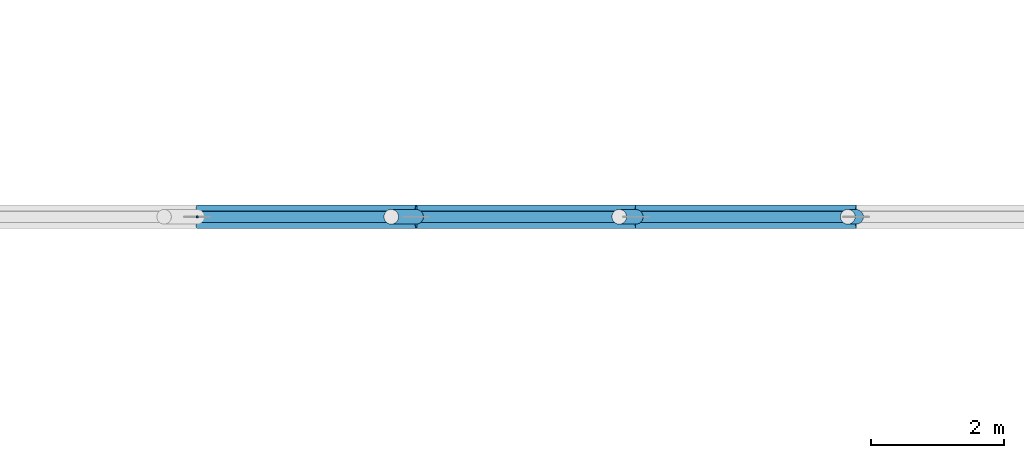
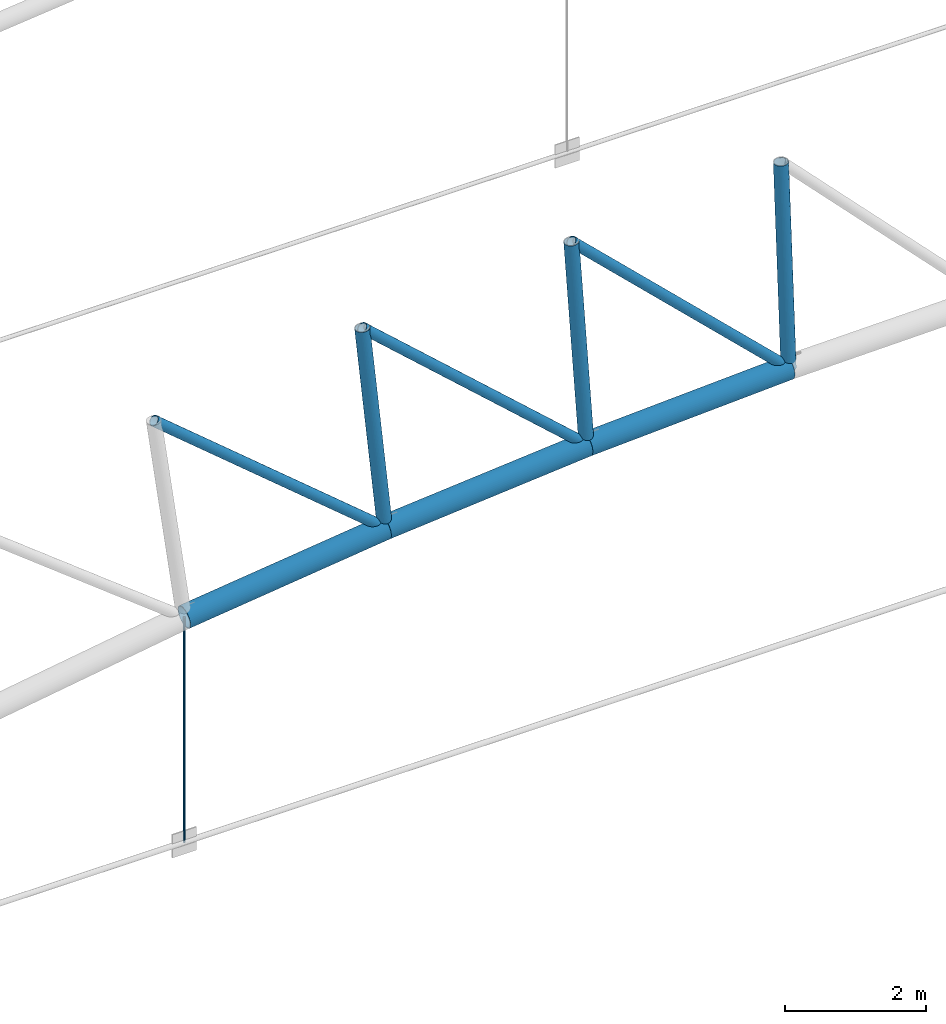
# One storey, part 31 of 321: 10 members.
"""IFC4 building model written with IfcOpenShell, lengths in metres."""

from ifc_helpers import new_model, si_unit, direction, frame, origin, origin_2d, place, context, subcontext, project, spatial, circle, hollow_circle, extrude, material, material_profile, profile_set, type_object, element, save


model = new_model("IFC4")

# Units and contexts
model_context = context("Model", 3, precision=1e-05, world=origin(), true_north=direction((0.0, 1.0)))
body_context = subcontext(model_context, "Body", "Model", "MODEL_VIEW")
ifc_project = project(units=[si_unit("LENGTHUNIT", "METRE"), si_unit("AREAUNIT", "SQUARE_METRE"), si_unit("VOLUMEUNIT", "CUBIC_METRE"), si_unit("PLANEANGLEUNIT", "RADIAN"), si_unit("MASSUNIT", "GRAM", prefix="KILO")], contexts=[model_context])

# Site, building, storey
site_placement = place(None, origin())
site = spatial("IfcSite", under=ifc_project, at=site_placement, CompositionType="ELEMENT")
building_placement = place(site_placement, origin())
building = spatial("IfcBuilding", under=site, at=building_placement, Name="Ravi Spectrum Wholesale Market", CompositionType="ELEMENT")
storey_placement = place(building_placement, frame((0.0, 0.0, 10.800048828125)))
storey = spatial("IfcBuildingStorey", under=building, at=storey_placement, Name="L02", CompositionType="ELEMENT", Elevation=10.800048828125)

# Members
ifc_material_1 = material(Name="Steel S355", Category="steel")
ifc_material_profile_1 = material_profile(ifc_material_1, hollow_circle(Radius=0.084228515625, WallThickness=0.00634765625, at=origin_2d()))
ifc_profile_set_1 = profile_set([ifc_material_profile_1], Name="Steel S355")
member_type_1 = type_object("IfcMemberType", Name="CHS 168.3x6.3 brace", PredefinedType="BRACE", material=ifc_profile_set_1)
for number, where, z_axis, x_axis, name in (
    (1, (56.321533203125, 54.0, 7.45458984375), (0.766252893925, 0.0, -0.642539105854), (0.0, 1.0, 0.0), "H1-MB-L02-241"),
    (2, (59.726806640625, 54.0, 7.867919921875), (0.743626505142, 0.0, -0.668595259369), (0.0, 1.0, 0.0), "H1-MB-L02-242"),
):
    element("IfcMember", number, at=place(storey_placement, frame(where, z_axis=z_axis, x_axis=x_axis)), inside=storey, type_object=member_type_1, Name=name, PredefinedType="BRACE", context=body_context, shape_type="SweptSolid", body=[
        extrude(hollow_circle(Radius=0.084228515625, WallThickness=0.00634765625, at=origin_2d()), origin(), (0.0, 0.0, 1.0), 4.9296875),
    ])
member_1_placement = place(storey_placement, frame((63.14453125, 54.0, 8.163330078125), z_axis=(0.7201093859, 0.0, -0.69386055684), x_axis=(0.0, 1.0, 0.0)))
element("IfcMember", 3, at=member_1_placement, inside=storey, type_object=member_type_1, Name="H1-MB-L02-243", PredefinedType="BRACE", context=body_context, shape_type="SweptSolid", body=[
    extrude(hollow_circle(Radius=0.084228515625, WallThickness=0.00634765625, at=origin_2d()), origin(), (0.0, 0.0, 1.0), 4.929443359375),
])
ifc_material_2 = material(Name="Steel S355", Category="steel")
ifc_material_profile_2 = material_profile(ifc_material_2, hollow_circle(Radius=0.109619140625, WallThickness=0.008056640625, at=origin_2d()))
ifc_profile_set_2 = profile_set([ifc_material_profile_2], Name="Steel S355")
member_type_2 = type_object("IfcMemberType", Name="CHS 219.1x8 post", PredefinedType="POST", material=ifc_profile_set_2)
member_2_placement = place(storey_placement, frame((59.726806640625, 54.0, 7.867919921875), z_axis=(0.103350310801, 0.0, -0.994645018716), x_axis=(0.0, 1.0, 0.0)))
element("IfcMember", 4, at=member_2_placement, inside=storey, type_object=member_type_2, Name="H1-MB-L02-219", PredefinedType="POST", context=body_context, shape_type="SweptSolid", body=[
    extrude(hollow_circle(Radius=0.109619140625, WallThickness=0.008056640625, at=origin_2d()), origin(), (0.0, 0.0, 1.0), 3.60009765625),
])
member_3_placement = place(storey_placement, frame((63.14453125, 54.0, 8.163330078125), z_axis=(0.068904502548, 0.0, -0.997623260319), x_axis=(0.0, 1.0, 0.0)))
element("IfcMember", 5, at=member_3_placement, inside=storey, type_object=member_type_2, Name="H1-MB-L02-220", PredefinedType="POST", context=body_context, shape_type="SweptSolid", body=[
    extrude(hollow_circle(Radius=0.109619140625, WallThickness=0.008056640625, at=origin_2d()), origin(), (0.0, 0.0, 1.0), 3.599853515625),
])
member_4_placement = place(storey_placement, frame((66.5703125, 54.0, 8.3408203125), z_axis=(0.034450597287, 0.0, -0.999406401994), x_axis=(0.0, 1.0, 0.0)))
element("IfcMember", 6, at=member_4_placement, inside=storey, type_object=member_type_2, Name="H1-MB-L02-221", PredefinedType="POST", context=body_context, shape_type="SweptSolid", body=[
    extrude(hollow_circle(Radius=0.109619140625, WallThickness=0.008056640625, at=origin_2d()), origin(), (0.0, 0.0, 1.0), 3.60009765625),
])
ifc_material_3 = material(Name="Steel S355", Category="steel")
ifc_material_profile_3 = material_profile(ifc_material_3, hollow_circle(Radius=0.177734375, WallThickness=0.012451171875, at=origin_2d()))
ifc_profile_set_3 = profile_set([ifc_material_profile_3], Name="Steel S355")
member_type_3 = type_object("IfcMemberType", Name="CHS 355.6x12.5 chord", PredefinedType="CHORD", material=ifc_profile_set_3)
member_5_placement = place(storey_placement, frame((56.81689453125, 54.0, 3.888916015625), z_axis=(0.99272014244, 0.0, 0.120443840833), x_axis=(0.0, 1.0, 0.0)))
element("IfcMember", 7, at=member_5_placement, inside=storey, type_object=member_type_3, Name="H1-MB-L02-195", PredefinedType="CHORD", context=body_context, shape_type="SweptSolid", body=[
    extrude(hollow_circle(Radius=0.177734375, WallThickness=0.012451171875, at=origin_2d()), origin(), (0.0, 0.0, 1.0), 3.30615234375),
])
member_6_placement = place(storey_placement, frame((60.098876953125, 54.0, 4.287109375), z_axis=(0.99627955827, 0.0, 0.08618028645), x_axis=(0.0, 1.0, 0.0)))
element("IfcMember", 8, at=member_6_placement, inside=storey, type_object=member_type_3, Name="H1-MB-L02-196", PredefinedType="CHORD", context=body_context, shape_type="SweptSolid", body=[
    extrude(hollow_circle(Radius=0.177734375, WallThickness=0.012451171875, at=origin_2d()), origin(), (0.0, 0.0, 1.0), 3.305908203125),
])
member_7_placement = place(storey_placement, frame((63.392578125, 54.0, 4.572021484375), z_axis=(0.99866314533, 0.0, 0.051690638992), x_axis=(0.0, 1.0, 0.0)))
element("IfcMember", 9, at=member_7_placement, inside=storey, type_object=member_type_3, Name="H1-MB-L02-197", PredefinedType="CHORD", context=body_context, shape_type="SweptSolid", body=[
    extrude(hollow_circle(Radius=0.177734375, WallThickness=0.012451171875, at=origin_2d()), origin(), (0.0, 0.0, 1.0), 3.30615234375),
])
ifc_material_4 = material(Name="Steel S355", Category="steel")
ifc_material_profile_4 = material_profile(ifc_material_4, circle(Radius=0.01806640625, at=origin_2d()))
ifc_profile_set_4 = profile_set([ifc_material_profile_4], Name="Steel S355")
member_type_4 = type_object("IfcMemberType", Name="ROD 36 hanger", PredefinedType="STRUT", material=ifc_profile_set_4)
member_8_placement = place(storey_placement, frame((56.81689453125, 54.0, 0.0), z_axis=(0.0, 0.0, 1.0), x_axis=(1.0, 0.0, 0.0)))
element("IfcMember", 10, at=member_8_placement, inside=storey, type_object=member_type_4, Name="H1-MB-L02-258", PredefinedType="STRUT", context=body_context, shape_type="SweptSolid", body=[
    extrude(circle(Radius=0.01806640625, at=origin_2d()), origin(), (0.0, 0.0, 1.0), 3.888916015625),
])

save(model, "model.ifc")
